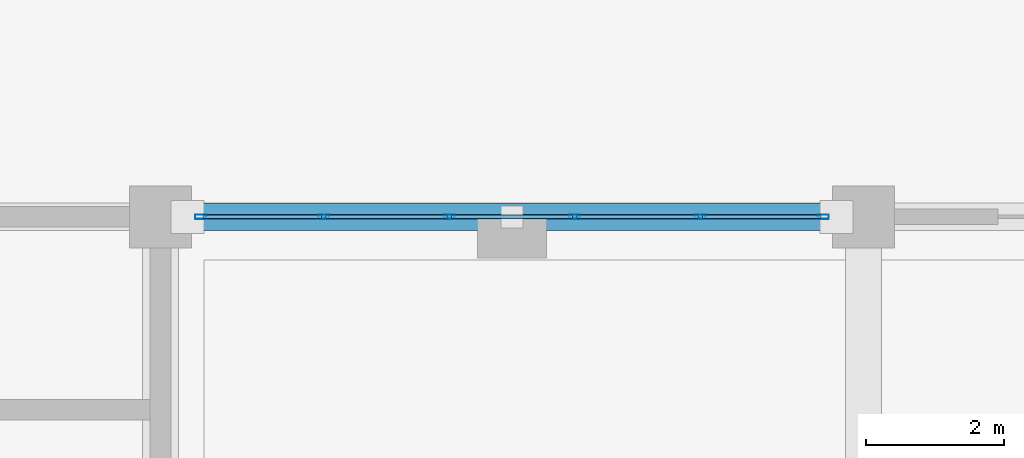
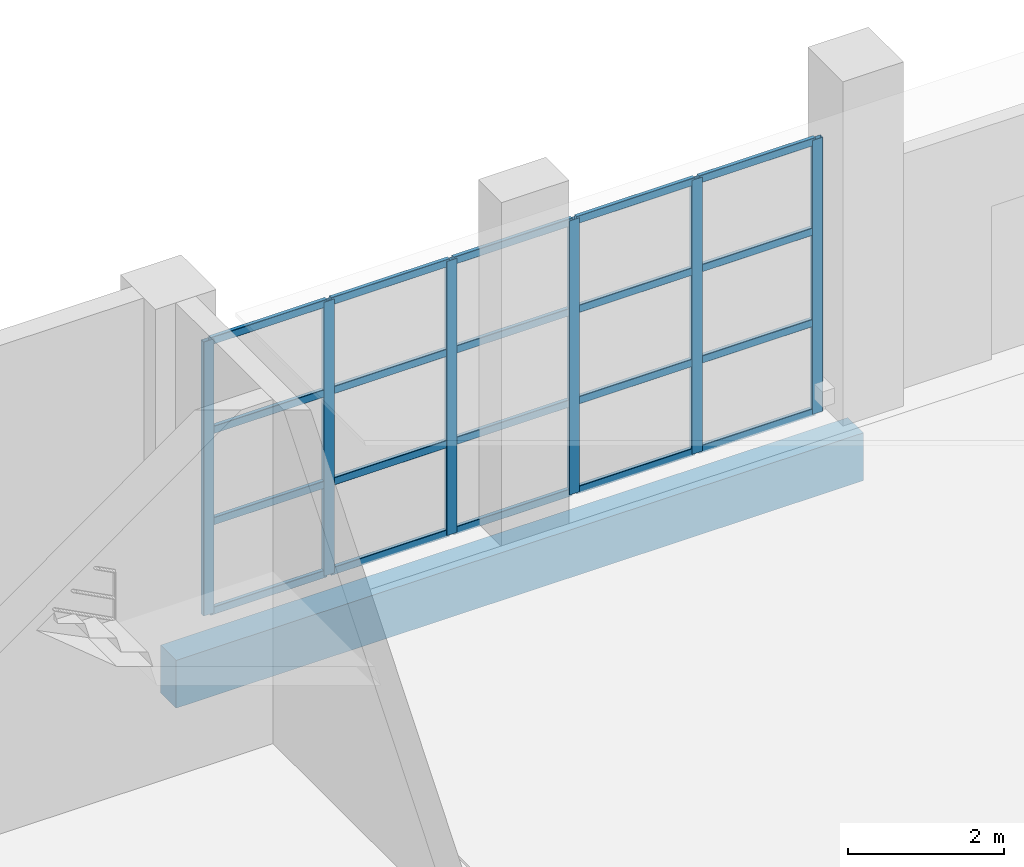
# One storey, part 68 of 124: 26 members, 1 beam, 1 element without a shape of its own.
"""IFC4 building model written with IfcOpenShell, lengths in metres."""

from ifc_helpers import new_model, si_unit, direction, frame, origin, origin_2d, place, context, subcontext, project, spatial, rectangle, hollow_rectangle, extrude, material, material_profile, profile_set, type_object, element, aggregate, save


model = new_model("IFC4")

# Units and contexts
model_context = context("Model", 3, precision=1e-05, world=origin(), true_north=direction((0.0, 1.0)))
body_context = subcontext(model_context, "Body", "Model", "MODEL_VIEW")
ifc_project = project(units=[si_unit("LENGTHUNIT", "METRE"), si_unit("AREAUNIT", "SQUARE_METRE"), si_unit("VOLUMEUNIT", "CUBIC_METRE"), si_unit("PLANEANGLEUNIT", "RADIAN"), si_unit("MASSUNIT", "GRAM", prefix="KILO")], contexts=[model_context])

# Site, building, storey
site_placement = place(None, origin())
site = spatial("IfcSite", under=ifc_project, at=site_placement, CompositionType="ELEMENT")
building_placement = place(site_placement, origin())
building = spatial("IfcBuilding", under=site, at=building_placement, Name="Brelvane Convention Centre", CompositionType="ELEMENT")
storey_placement = place(building_placement, origin())
storey = spatial("IfcBuildingStorey", under=building, at=storey_placement, Name="L00", CompositionType="ELEMENT", Elevation=0.0)

# Curtain wall, members
ifc_material_1 = material(Name="Anodised Aluminium Alloy 6063-T6", Category="aluminium")
curtain_wall_type = type_object("IfcCurtainWallType", Name="Curtain Wall CW-BOUL", PredefinedType="USERDEFINED", material=ifc_material_1)
curtain_wall_placement = place(storey_placement, origin())
curtain_wall = element("IfcCurtainWall", 1, at=curtain_wall_placement, inside=storey, type_object=curtain_wall_type, Name="Curtain Wall CW-BOUL L00-V4N-04", ObjectType="UNITISED", PredefinedType="USERDEFINED")
ifc_material_2 = material(Name="Anodised Aluminium Alloy 6063-T6", Category="aluminium")
ifc_material_profile_1 = material_profile(ifc_material_2, hollow_rectangle(XDim=0.06494140625, YDim=0.159912109375, WallThickness=0.00390625, InnerFilletRadius=0.00390625, OuterFilletRadius=0.008056640625, at=origin_2d()), Name="ALU-M 160x65x4.0")
ifc_profile_set_1 = profile_set([ifc_material_profile_1], Name="Anodised Aluminium Alloy 6063-T6")
member_type_1 = type_object("IfcMemberType", Name="Curtain Mullion CW-M3", PredefinedType="MULLION", material=ifc_profile_set_1)
member_1_placement = place(storey_placement, frame((31.1826171875, 144.0, 0.0), z_axis=(0.0, 0.0, 1.0), x_axis=(0.0, 1.0, 0.0)))
member_1 = element("IfcMember", 2, at=member_1_placement, type_object=member_type_1, Name="CW-BOUL mullion 1", PredefinedType="MULLION", context=body_context, shape_type="SweptSolid", body=[
    extrude(hollow_rectangle(XDim=0.06494140625, YDim=0.159912109375, WallThickness=0.00390625, InnerFilletRadius=0.00390625, OuterFilletRadius=0.008056640625, at=origin_2d()), origin(), (0.0, 0.0, 1.0), 4.300048828125),
])
member_2_placement = place(storey_placement, frame((32.969970703125, 144.0, 0.0), z_axis=(0.0, 0.0, 1.0), x_axis=(0.0, 1.0, 0.0)))
member_2 = element("IfcMember", 3, at=member_2_placement, type_object=member_type_1, Name="CW-BOUL mullion 2", PredefinedType="MULLION", context=body_context, shape_type="SweptSolid", body=[
    extrude(hollow_rectangle(XDim=0.06494140625, YDim=0.159912109375, WallThickness=0.00390625, InnerFilletRadius=0.00390625, OuterFilletRadius=0.008056640625, at=origin_2d()), origin(), (0.0, 0.0, 1.0), 4.300048828125),
])
member_3_placement = place(storey_placement, frame((34.7900390625, 144.0, 0.0), z_axis=(0.0, 0.0, 1.0), x_axis=(0.0, 1.0, 0.0)))
member_3 = element("IfcMember", 4, at=member_3_placement, type_object=member_type_1, Name="CW-BOUL mullion 3", PredefinedType="MULLION", context=body_context, shape_type="SweptSolid", body=[
    extrude(hollow_rectangle(XDim=0.06494140625, YDim=0.159912109375, WallThickness=0.00390625, InnerFilletRadius=0.00390625, OuterFilletRadius=0.008056640625, at=origin_2d()), origin(), (0.0, 0.0, 1.0), 4.300048828125),
])
member_4_placement = place(storey_placement, frame((36.610107421875, 144.0, 0.0), z_axis=(0.0, 0.0, 1.0), x_axis=(0.0, 1.0, 0.0)))
member_4 = element("IfcMember", 5, at=member_4_placement, type_object=member_type_1, Name="CW-BOUL mullion 4", PredefinedType="MULLION", context=body_context, shape_type="SweptSolid", body=[
    extrude(hollow_rectangle(XDim=0.06494140625, YDim=0.159912109375, WallThickness=0.00390625, InnerFilletRadius=0.00390625, OuterFilletRadius=0.008056640625, at=origin_2d()), origin(), (0.0, 0.0, 1.0), 4.300048828125),
])
member_5_placement = place(storey_placement, frame((38.429931640625, 144.0, 0.0), z_axis=(0.0, 0.0, 1.0), x_axis=(0.0, 1.0, 0.0)))
member_5 = element("IfcMember", 6, at=member_5_placement, type_object=member_type_1, Name="CW-BOUL mullion 5", PredefinedType="MULLION", context=body_context, shape_type="SweptSolid", body=[
    extrude(hollow_rectangle(XDim=0.06494140625, YDim=0.159912109375, WallThickness=0.00390625, InnerFilletRadius=0.00390625, OuterFilletRadius=0.008056640625, at=origin_2d()), origin(), (0.0, 0.0, 1.0), 4.300048828125),
])
member_6_placement = place(storey_placement, frame((40.217529296875, 144.0, 0.0), z_axis=(0.0, 0.0, 1.0), x_axis=(0.0, 1.0, 0.0)))
member_6 = element("IfcMember", 7, at=member_6_placement, type_object=member_type_1, Name="CW-BOUL mullion 6", PredefinedType="MULLION", context=body_context, shape_type="SweptSolid", body=[
    extrude(hollow_rectangle(XDim=0.06494140625, YDim=0.159912109375, WallThickness=0.00390625, InnerFilletRadius=0.00390625, OuterFilletRadius=0.008056640625, at=origin_2d()), origin(), (0.0, 0.0, 1.0), 4.300048828125),
])
ifc_material_3 = material(Name="Anodised Aluminium Alloy 6063-T6", Category="aluminium")
ifc_material_profile_2 = material_profile(ifc_material_3, hollow_rectangle(XDim=0.06005859375, YDim=0.1201171875, WallThickness=0.00390625, InnerFilletRadius=0.00390625, OuterFilletRadius=0.008056640625, at=origin_2d()), Name="ALU-T 120x60x4.0")
ifc_profile_set_2 = profile_set([ifc_material_profile_2], Name="Anodised Aluminium Alloy 6063-T6")
member_type_2 = type_object("IfcMemberType", Name="Curtain Transom CW-T3", PredefinedType="USERDEFINED", material=ifc_profile_set_2)
member_7_placement = place(storey_placement, frame((31.215087890625, 144.0, 0.030029296875), z_axis=(1.0, 0.0, 0.0), x_axis=(0.0, 1.0, 0.0)))
member_7 = element("IfcMember", 8, at=member_7_placement, type_object=member_type_2, Name="CW-BOUL transom 1.1", ObjectType="TRANSOM", PredefinedType="USERDEFINED", context=body_context, shape_type="SweptSolid", body=[
    extrude(hollow_rectangle(XDim=0.06005859375, YDim=0.1201171875, WallThickness=0.00390625, InnerFilletRadius=0.00390625, OuterFilletRadius=0.008056640625, at=origin_2d()), origin(), (0.0, 0.0, 1.0), 1.722412109375),
])
member_8_placement = place(storey_placement, frame((31.215087890625, 144.0, 1.433349609375), z_axis=(1.0, 0.0, 0.0), x_axis=(0.0, 1.0, 0.0)))
member_8 = element("IfcMember", 9, at=member_8_placement, type_object=member_type_2, Name="CW-BOUL transom 1.2", ObjectType="TRANSOM", PredefinedType="USERDEFINED", context=body_context, shape_type="SweptSolid", body=[
    extrude(hollow_rectangle(XDim=0.06005859375, YDim=0.1201171875, WallThickness=0.00390625, InnerFilletRadius=0.00390625, OuterFilletRadius=0.008056640625, at=origin_2d()), origin(), (0.0, 0.0, 1.0), 1.722412109375),
])
member_9_placement = place(storey_placement, frame((31.215087890625, 144.0, 2.86669921875), z_axis=(1.0, 0.0, 0.0), x_axis=(0.0, 1.0, 0.0)))
member_9 = element("IfcMember", 10, at=member_9_placement, type_object=member_type_2, Name="CW-BOUL transom 1.3", ObjectType="TRANSOM", PredefinedType="USERDEFINED", context=body_context, shape_type="SweptSolid", body=[
    extrude(hollow_rectangle(XDim=0.06005859375, YDim=0.1201171875, WallThickness=0.00390625, InnerFilletRadius=0.00390625, OuterFilletRadius=0.008056640625, at=origin_2d()), origin(), (0.0, 0.0, 1.0), 1.722412109375),
])
member_10_placement = place(storey_placement, frame((31.215087890625, 144.0, 4.27001953125), z_axis=(1.0, 0.0, 0.0), x_axis=(0.0, 1.0, 0.0)))
member_10 = element("IfcMember", 11, at=member_10_placement, type_object=member_type_2, Name="CW-BOUL transom 1.4", ObjectType="TRANSOM", PredefinedType="USERDEFINED", context=body_context, shape_type="SweptSolid", body=[
    extrude(hollow_rectangle(XDim=0.06005859375, YDim=0.1201171875, WallThickness=0.00390625, InnerFilletRadius=0.00390625, OuterFilletRadius=0.008056640625, at=origin_2d()), origin(), (0.0, 0.0, 1.0), 1.722412109375),
])
member_11_placement = place(storey_placement, frame((33.00244140625, 144.0, 0.030029296875), z_axis=(1.0, 0.0, 0.0), x_axis=(0.0, 1.0, 0.0)))
member_11 = element("IfcMember", 12, at=member_11_placement, type_object=member_type_2, Name="CW-BOUL transom 2.1", ObjectType="TRANSOM", PredefinedType="USERDEFINED", context=body_context, shape_type="SweptSolid", body=[
    extrude(hollow_rectangle(XDim=0.06005859375, YDim=0.1201171875, WallThickness=0.00390625, InnerFilletRadius=0.00390625, OuterFilletRadius=0.008056640625, at=origin_2d()), origin(), (0.0, 0.0, 1.0), 1.755126953125),
])
member_12_placement = place(storey_placement, frame((33.00244140625, 144.0, 1.433349609375), z_axis=(1.0, 0.0, 0.0), x_axis=(0.0, 1.0, 0.0)))
member_12 = element("IfcMember", 13, at=member_12_placement, type_object=member_type_2, Name="CW-BOUL transom 2.2", ObjectType="TRANSOM", PredefinedType="USERDEFINED", context=body_context, shape_type="SweptSolid", body=[
    extrude(hollow_rectangle(XDim=0.06005859375, YDim=0.1201171875, WallThickness=0.00390625, InnerFilletRadius=0.00390625, OuterFilletRadius=0.008056640625, at=origin_2d()), origin(), (0.0, 0.0, 1.0), 1.755126953125),
])
member_13_placement = place(storey_placement, frame((33.00244140625, 144.0, 2.86669921875), z_axis=(1.0, 0.0, 0.0), x_axis=(0.0, 1.0, 0.0)))
member_13 = element("IfcMember", 14, at=member_13_placement, type_object=member_type_2, Name="CW-BOUL transom 2.3", ObjectType="TRANSOM", PredefinedType="USERDEFINED", context=body_context, shape_type="SweptSolid", body=[
    extrude(hollow_rectangle(XDim=0.06005859375, YDim=0.1201171875, WallThickness=0.00390625, InnerFilletRadius=0.00390625, OuterFilletRadius=0.008056640625, at=origin_2d()), origin(), (0.0, 0.0, 1.0), 1.755126953125),
])
member_14_placement = place(storey_placement, frame((33.00244140625, 144.0, 4.27001953125), z_axis=(1.0, 0.0, 0.0), x_axis=(0.0, 1.0, 0.0)))
member_14 = element("IfcMember", 15, at=member_14_placement, type_object=member_type_2, Name="CW-BOUL transom 2.4", ObjectType="TRANSOM", PredefinedType="USERDEFINED", context=body_context, shape_type="SweptSolid", body=[
    extrude(hollow_rectangle(XDim=0.06005859375, YDim=0.1201171875, WallThickness=0.00390625, InnerFilletRadius=0.00390625, OuterFilletRadius=0.008056640625, at=origin_2d()), origin(), (0.0, 0.0, 1.0), 1.755126953125),
])
member_15_placement = place(storey_placement, frame((34.822509765625, 144.0, 0.030029296875), z_axis=(1.0, 0.0, 0.0), x_axis=(0.0, 1.0, 0.0)))
member_15 = element("IfcMember", 16, at=member_15_placement, type_object=member_type_2, Name="CW-BOUL transom 3.1", ObjectType="TRANSOM", PredefinedType="USERDEFINED", context=body_context, shape_type="SweptSolid", body=[
    extrude(hollow_rectangle(XDim=0.06005859375, YDim=0.1201171875, WallThickness=0.00390625, InnerFilletRadius=0.00390625, OuterFilletRadius=0.008056640625, at=origin_2d()), origin(), (0.0, 0.0, 1.0), 1.7548828125),
])
member_16_placement = place(storey_placement, frame((34.822509765625, 144.0, 1.433349609375), z_axis=(1.0, 0.0, 0.0), x_axis=(0.0, 1.0, 0.0)))
member_16 = element("IfcMember", 17, at=member_16_placement, type_object=member_type_2, Name="CW-BOUL transom 3.2", ObjectType="TRANSOM", PredefinedType="USERDEFINED", context=body_context, shape_type="SweptSolid", body=[
    extrude(hollow_rectangle(XDim=0.06005859375, YDim=0.1201171875, WallThickness=0.00390625, InnerFilletRadius=0.00390625, OuterFilletRadius=0.008056640625, at=origin_2d()), origin(), (0.0, 0.0, 1.0), 1.7548828125),
])
member_17_placement = place(storey_placement, frame((34.822509765625, 144.0, 2.86669921875), z_axis=(1.0, 0.0, 0.0), x_axis=(0.0, 1.0, 0.0)))
member_17 = element("IfcMember", 18, at=member_17_placement, type_object=member_type_2, Name="CW-BOUL transom 3.3", ObjectType="TRANSOM", PredefinedType="USERDEFINED", context=body_context, shape_type="SweptSolid", body=[
    extrude(hollow_rectangle(XDim=0.06005859375, YDim=0.1201171875, WallThickness=0.00390625, InnerFilletRadius=0.00390625, OuterFilletRadius=0.008056640625, at=origin_2d()), origin(), (0.0, 0.0, 1.0), 1.7548828125),
])
member_18_placement = place(storey_placement, frame((34.822509765625, 144.0, 4.27001953125), z_axis=(1.0, 0.0, 0.0), x_axis=(0.0, 1.0, 0.0)))
member_18 = element("IfcMember", 19, at=member_18_placement, type_object=member_type_2, Name="CW-BOUL transom 3.4", ObjectType="TRANSOM", PredefinedType="USERDEFINED", context=body_context, shape_type="SweptSolid", body=[
    extrude(hollow_rectangle(XDim=0.06005859375, YDim=0.1201171875, WallThickness=0.00390625, InnerFilletRadius=0.00390625, OuterFilletRadius=0.008056640625, at=origin_2d()), origin(), (0.0, 0.0, 1.0), 1.7548828125),
])
member_19_placement = place(storey_placement, frame((36.642578125, 144.0, 0.030029296875), z_axis=(1.0, 0.0, 0.0), x_axis=(0.0, 1.0, 0.0)))
member_19 = element("IfcMember", 20, at=member_19_placement, type_object=member_type_2, Name="CW-BOUL transom 4.1", ObjectType="TRANSOM", PredefinedType="USERDEFINED", context=body_context, shape_type="SweptSolid", body=[
    extrude(hollow_rectangle(XDim=0.06005859375, YDim=0.1201171875, WallThickness=0.00390625, InnerFilletRadius=0.00390625, OuterFilletRadius=0.008056640625, at=origin_2d()), origin(), (0.0, 0.0, 1.0), 1.7548828125),
])
member_20_placement = place(storey_placement, frame((36.642578125, 144.0, 1.433349609375), z_axis=(1.0, 0.0, 0.0), x_axis=(0.0, 1.0, 0.0)))
member_20 = element("IfcMember", 21, at=member_20_placement, type_object=member_type_2, Name="CW-BOUL transom 4.2", ObjectType="TRANSOM", PredefinedType="USERDEFINED", context=body_context, shape_type="SweptSolid", body=[
    extrude(hollow_rectangle(XDim=0.06005859375, YDim=0.1201171875, WallThickness=0.00390625, InnerFilletRadius=0.00390625, OuterFilletRadius=0.008056640625, at=origin_2d()), origin(), (0.0, 0.0, 1.0), 1.7548828125),
])
member_21_placement = place(storey_placement, frame((36.642578125, 144.0, 2.86669921875), z_axis=(1.0, 0.0, 0.0), x_axis=(0.0, 1.0, 0.0)))
member_21 = element("IfcMember", 22, at=member_21_placement, type_object=member_type_2, Name="CW-BOUL transom 4.3", ObjectType="TRANSOM", PredefinedType="USERDEFINED", context=body_context, shape_type="SweptSolid", body=[
    extrude(hollow_rectangle(XDim=0.06005859375, YDim=0.1201171875, WallThickness=0.00390625, InnerFilletRadius=0.00390625, OuterFilletRadius=0.008056640625, at=origin_2d()), origin(), (0.0, 0.0, 1.0), 1.7548828125),
])
member_22_placement = place(storey_placement, frame((36.642578125, 144.0, 4.27001953125), z_axis=(1.0, 0.0, 0.0), x_axis=(0.0, 1.0, 0.0)))
member_22 = element("IfcMember", 23, at=member_22_placement, type_object=member_type_2, Name="CW-BOUL transom 4.4", ObjectType="TRANSOM", PredefinedType="USERDEFINED", context=body_context, shape_type="SweptSolid", body=[
    extrude(hollow_rectangle(XDim=0.06005859375, YDim=0.1201171875, WallThickness=0.00390625, InnerFilletRadius=0.00390625, OuterFilletRadius=0.008056640625, at=origin_2d()), origin(), (0.0, 0.0, 1.0), 1.7548828125),
])
member_23_placement = place(storey_placement, frame((38.46240234375, 144.0, 0.030029296875), z_axis=(1.0, 0.0, 0.0), x_axis=(0.0, 1.0, 0.0)))
member_23 = element("IfcMember", 24, at=member_23_placement, type_object=member_type_2, Name="CW-BOUL transom 5.1", ObjectType="TRANSOM", PredefinedType="USERDEFINED", context=body_context, shape_type="SweptSolid", body=[
    extrude(hollow_rectangle(XDim=0.06005859375, YDim=0.1201171875, WallThickness=0.00390625, InnerFilletRadius=0.00390625, OuterFilletRadius=0.008056640625, at=origin_2d()), origin(), (0.0, 0.0, 1.0), 1.72265625),
])
member_24_placement = place(storey_placement, frame((38.46240234375, 144.0, 1.433349609375), z_axis=(1.0, 0.0, 0.0), x_axis=(0.0, 1.0, 0.0)))
member_24 = element("IfcMember", 25, at=member_24_placement, type_object=member_type_2, Name="CW-BOUL transom 5.2", ObjectType="TRANSOM", PredefinedType="USERDEFINED", context=body_context, shape_type="SweptSolid", body=[
    extrude(hollow_rectangle(XDim=0.06005859375, YDim=0.1201171875, WallThickness=0.00390625, InnerFilletRadius=0.00390625, OuterFilletRadius=0.008056640625, at=origin_2d()), origin(), (0.0, 0.0, 1.0), 1.72265625),
])
member_25_placement = place(storey_placement, frame((38.46240234375, 144.0, 2.86669921875), z_axis=(1.0, 0.0, 0.0), x_axis=(0.0, 1.0, 0.0)))
member_25 = element("IfcMember", 26, at=member_25_placement, type_object=member_type_2, Name="CW-BOUL transom 5.3", ObjectType="TRANSOM", PredefinedType="USERDEFINED", context=body_context, shape_type="SweptSolid", body=[
    extrude(hollow_rectangle(XDim=0.06005859375, YDim=0.1201171875, WallThickness=0.00390625, InnerFilletRadius=0.00390625, OuterFilletRadius=0.008056640625, at=origin_2d()), origin(), (0.0, 0.0, 1.0), 1.72265625),
])
member_26_placement = place(storey_placement, frame((38.46240234375, 144.0, 4.27001953125), z_axis=(1.0, 0.0, 0.0), x_axis=(0.0, 1.0, 0.0)))
member_26 = element("IfcMember", 27, at=member_26_placement, type_object=member_type_2, Name="CW-BOUL transom 5.4", ObjectType="TRANSOM", PredefinedType="USERDEFINED", context=body_context, shape_type="SweptSolid", body=[
    extrude(hollow_rectangle(XDim=0.06005859375, YDim=0.1201171875, WallThickness=0.00390625, InnerFilletRadius=0.00390625, OuterFilletRadius=0.008056640625, at=origin_2d()), origin(), (0.0, 0.0, 1.0), 1.72265625),
])
aggregate(curtain_wall, [member_1, member_2, member_3, member_4, member_5, member_6, member_7, member_8, member_9, member_10, member_11, member_12, member_13, member_14, member_15, member_16, member_17, member_18, member_19, member_20, member_21, member_22, member_23, member_24, member_25, member_26])

# Beam
ifc_material_4 = material(Name="Concrete M40", Category="concrete")
ifc_material_profile_3 = material_profile(ifc_material_4, rectangle(XDim=0.39990234375, YDim=0.75, at=origin_2d()), Name="RC 400x750")
ifc_profile_set_3 = profile_set([ifc_material_profile_3], Name="Concrete M40")
beam_type = type_object("IfcBeamType", Name="RC Spandrel SP-RC1 (RC 400x750)", PredefinedType="SPANDREL", material=ifc_profile_set_3)
beam_placement = place(storey_placement, frame((30.60009765625, 144.0, -0.7900390625), z_axis=(1.0, 0.0, 0.0), x_axis=(0.0, 1.0, 0.0)))
element("IfcBeam", 28, at=beam_placement, inside=storey, type_object=beam_type, Name="L00 Beam 4-5/Q", PredefinedType="SPANDREL", context=body_context, shape_type="SweptSolid", body=[
    extrude(rectangle(XDim=0.39990234375, YDim=0.75, at=origin_2d()), origin(), (0.0, 0.0, 1.0), 10.199951171875),
])

save(model, "model.ifc")
